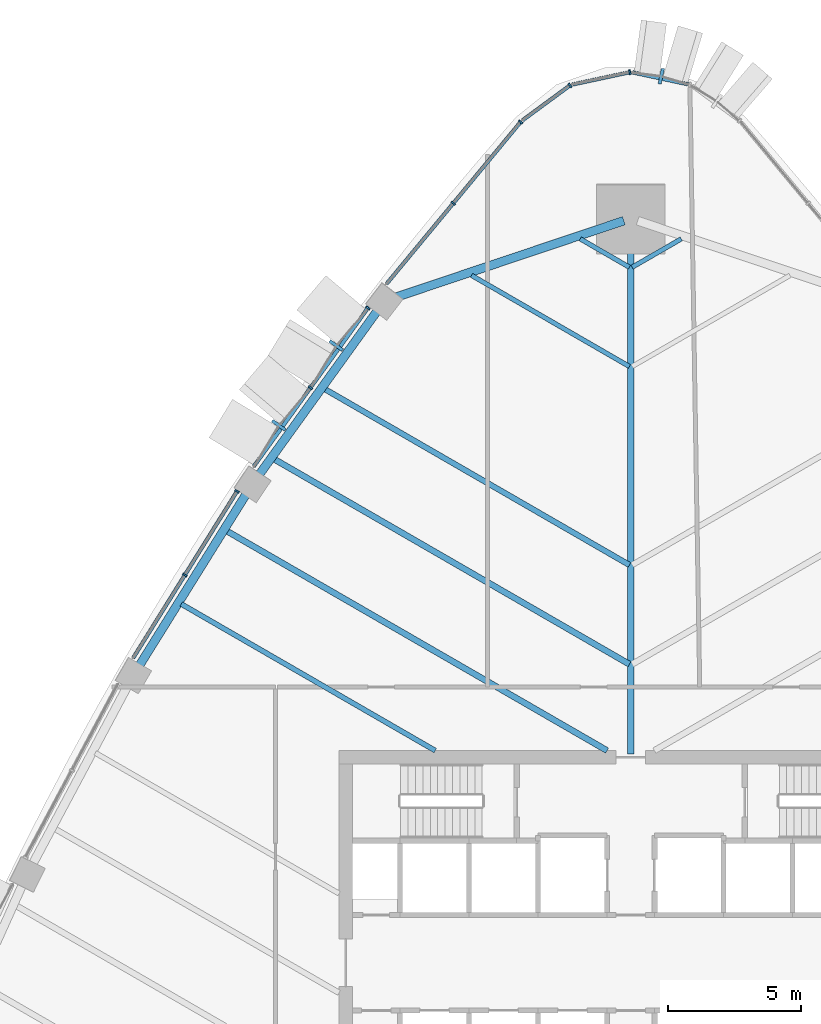
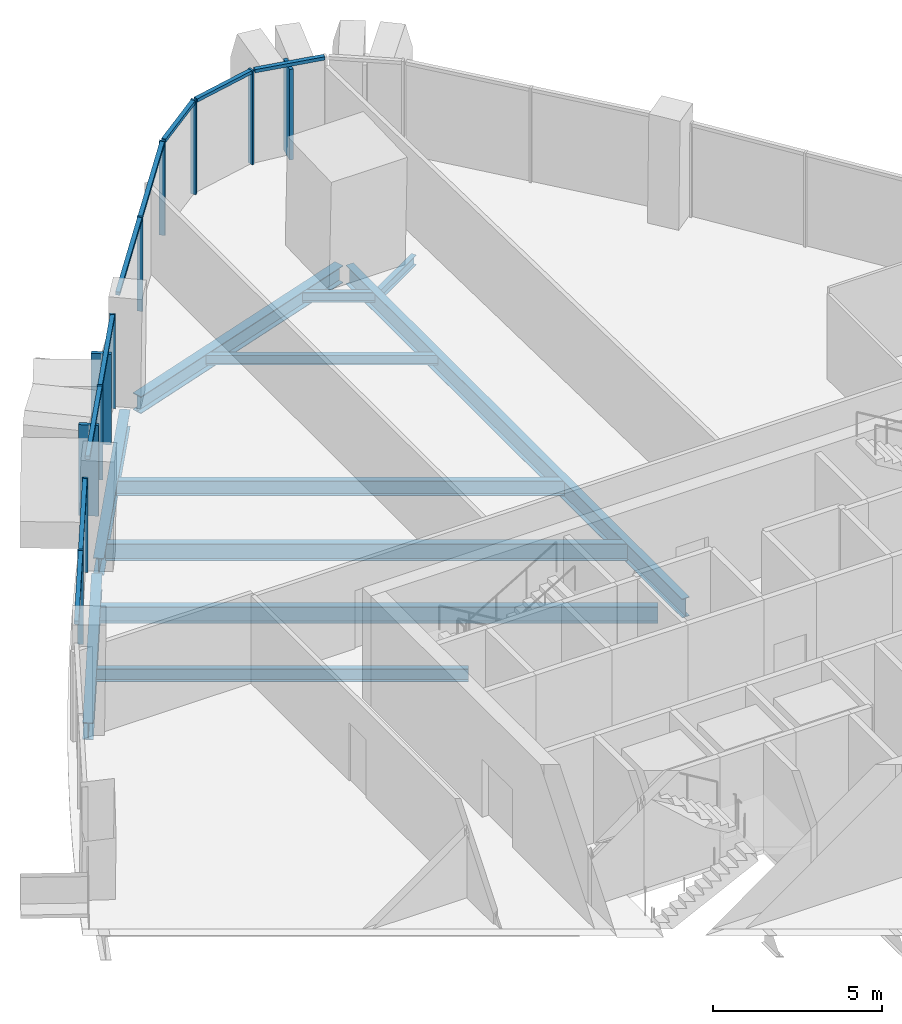
# One storey, part 6 of 17: 20 members, 11 beams, 6 elements without a shape of their own.
"""IFC4 building model written with IfcOpenShell, lengths in metres."""

from ifc_helpers import new_model, si_unit, direction, frame, origin, origin_2d, place, context, subcontext, project, spatial, rectangle, i_section, extrude, material, layer, layer_set, material_profile, profile_set, type_object, element, aggregate, save


model = new_model("IFC4")

# Units and contexts
model_context = context("Model", 3, precision=1e-05, world=origin(), true_north=direction((0.0, 1.0)))
body_context = subcontext(model_context, "Body", "Model", "MODEL_VIEW")
ifc_project = project(units=[si_unit("LENGTHUNIT", "METRE"), si_unit("AREAUNIT", "SQUARE_METRE"), si_unit("VOLUMEUNIT", "CUBIC_METRE"), si_unit("PLANEANGLEUNIT", "RADIAN"), si_unit("MASSUNIT", "GRAM", prefix="KILO")], contexts=[model_context])

# Site, building, storey
site_placement = place(None, origin())
site = spatial("IfcSite", under=ifc_project, at=site_placement, CompositionType="ELEMENT")
building_placement = place(site_placement, origin())
building = spatial("IfcBuilding", under=site, at=building_placement, Name="Sierra Prisma Convention Tower", CompositionType="ELEMENT")
storey_placement = place(building_placement, frame((0.0, 0.0, 153.800048828125)))
storey = spatial("IfcBuildingStorey", under=building, at=storey_placement, Name="L33", CompositionType="ELEMENT", Elevation=153.800048828125)

# Curtain wall, member
ifc_material_1 = material(Name="Aluminium and glass curtain wall", Category="aluminium")
ifc_layer_1 = layer(ifc_material_1, 0.179931640625)
ifc_layer_set_1 = layer_set([ifc_layer_1], Name="CW-2 Faceted crystal curtain wall")
curtain_wall_type_1 = type_object("IfcCurtainWallType", Name="CW-2 Faceted crystal curtain wall", PredefinedType="NOTDEFINED", material=ifc_layer_set_1)
curtain_wall_1_placement = place(storey_placement, origin())
curtain_wall_1 = element("IfcCurtainWall", 1, at=curtain_wall_1_placement, inside=storey, type_object=curtain_wall_type_1, Name="CW-2 N2 L33", PredefinedType="NOTDEFINED")
ifc_material_2 = material(Name="Aluminium 6063-T6 bronze anodised", Category="aluminium")
ifc_material_profile_1 = material_profile(ifc_material_2, rectangle(XDim=0.1201171875, YDim=0.60009765625, at=origin_2d()), Name="ALU RIDGE BLADE 120x600")
ifc_profile_set_1 = profile_set([ifc_material_profile_1], Name="Aluminium 6063-T6 bronze anodised")
member_type_1 = type_object("IfcMemberType", Name="CW hip bronze", PredefinedType="MULLION", material=ifc_profile_set_1)
member_1_placement = place(storey_placement, frame((1.150634765625, 33.43115234375, 0.0), z_axis=(0.0, 0.0, 1.0), x_axis=(-0.977743202837, 0.209805217539, 0.0)))
member_1 = element("IfcMember", 2, at=member_1_placement, type_object=member_type_1, Name="CW-2 ridge N2.1", PredefinedType="MULLION", context=body_context, shape_type="SweptSolid", body=[
    extrude(rectangle(XDim=0.1201171875, YDim=0.60009765625, at=origin_2d()), origin(), (0.0, 0.0, 1.0), 3.280029296875),
])

# Curtain wall, members
curtain_wall_2_placement = place(storey_placement, origin())
curtain_wall_2 = element("IfcCurtainWall", 3, at=curtain_wall_2_placement, inside=storey, type_object=curtain_wall_type_1, Name="CW-2 NW2 L33", PredefinedType="NOTDEFINED")
member_2_placement = place(storey_placement, frame((-11.109375, 23.273681640625, 0.0), z_axis=(0.0, 0.0, 1.0), x_axis=(-0.584647968797, -0.811287096274, 0.0)))
member_2 = element("IfcMember", 4, at=member_2_placement, type_object=member_type_1, Name="CW-2 ridge NW2.1", PredefinedType="MULLION", context=body_context, shape_type="SweptSolid", body=[
    extrude(rectangle(XDim=0.1201171875, YDim=0.60009765625, at=origin_2d()), origin(), (0.0, 0.0, 1.0), 3.280029296875),
])
member_3_placement = place(storey_placement, frame((-13.2763671875, 20.2666015625, 0.0), z_axis=(0.0, 0.0, 1.0), x_axis=(-0.584647968797, -0.811287096274, 0.0)))
member_3 = element("IfcMember", 5, at=member_3_placement, type_object=member_type_1, Name="CW-2 ridge NW2.2", PredefinedType="MULLION", context=body_context, shape_type="SweptSolid", body=[
    extrude(rectangle(XDim=0.1201171875, YDim=0.60009765625, at=origin_2d()), origin(), (0.0, 0.0, 1.0), 3.280029296875),
])

# Curtain wall, member
ifc_material_3 = material(Name="Aluminium and glass curtain wall", Category="aluminium")
ifc_layer_2 = layer(ifc_material_3, 0.179931640625)
ifc_layer_set_2 = layer_set([ifc_layer_2], Name="CW-1 Plain shaft curtain wall")
curtain_wall_type_2 = type_object("IfcCurtainWallType", Name="CW-1 Plain shaft curtain wall", PredefinedType="NOTDEFINED", material=ifc_layer_set_2)
curtain_wall_3_placement = place(storey_placement, origin())
curtain_wall_3 = element("IfcCurtainWall", 6, at=curtain_wall_3_placement, inside=storey, type_object=curtain_wall_type_2, Name="CW-1 N3 L33", PredefinedType="NOTDEFINED")
ifc_material_4 = material(Name="Aluminium 6063-T6 bronze anodised", Category="aluminium")
ifc_material_profile_2 = material_profile(ifc_material_4, rectangle(XDim=0.179931640625, YDim=0.070068359375, at=origin_2d()), Name="ALU MULLION 70x180")
ifc_profile_set_2 = profile_set([ifc_material_profile_2], Name="Aluminium 6063-T6 bronze anodised")
member_type_2 = type_object("IfcMemberType", Name="CW mullion bronze", PredefinedType="MULLION", material=ifc_profile_set_2)
member_4_placement = place(storey_placement, frame((-0.0341796875, 33.5830078125, 0.0), z_axis=(0.0, 0.0, 1.0), x_axis=(0.209805217539, -0.977743202837, 0.0)))
member_4 = element("IfcMember", 7, at=member_4_placement, type_object=member_type_2, Name="CW-1 mullion N3.1", PredefinedType="MULLION", context=body_context, shape_type="SweptSolid", body=[
    extrude(rectangle(XDim=0.179931640625, YDim=0.070068359375, at=origin_2d()), origin(), (0.0, 0.0, 1.0), 3.39990234375),
])

curtain_wall_4_placement = place(storey_placement, origin())
curtain_wall_4 = element("IfcCurtainWall", 8, at=curtain_wall_4_placement, inside=storey, type_object=curtain_wall_type_2, Name="CW-1 N4 L33", PredefinedType="NOTDEFINED")
member_5_placement = place(storey_placement, frame((-2.29345703125, 33.08349609375, 0.0), z_axis=(0.0, 0.0, 1.0), x_axis=(0.592474635917, -0.805589104814, 0.0)))
member_5 = element("IfcMember", 9, at=member_5_placement, type_object=member_type_2, Name="CW-1 mullion N4.1", PredefinedType="MULLION", context=body_context, shape_type="SweptSolid", body=[
    extrude(rectangle(XDim=0.179931640625, YDim=0.070068359375, at=origin_2d()), origin(), (0.0, 0.0, 1.0), 3.39990234375),
])

# Curtain wall, members
curtain_wall_5_placement = place(storey_placement, origin())
curtain_wall_5 = element("IfcCurtainWall", 10, at=curtain_wall_5_placement, inside=storey, type_object=curtain_wall_type_2, Name="CW-1 NW1 L33", PredefinedType="NOTDEFINED")
member_6_placement = place(storey_placement, frame((-4.154052734375, 31.70458984375, 0.0), z_axis=(0.0, 0.0, 1.0), x_axis=(0.77017707256, -0.637830131698, 0.0)))
member_6 = element("IfcMember", 11, at=member_6_placement, type_object=member_type_2, Name="CW-1 mullion NW1.1", PredefinedType="MULLION", context=body_context, shape_type="SweptSolid", body=[
    extrude(rectangle(XDim=0.179931640625, YDim=0.070068359375, at=origin_2d()), origin(), (0.0, 0.0, 1.0), 3.39990234375),
])
member_7_placement = place(storey_placement, frame((-6.69189453125, 28.640380859375, 0.0), z_axis=(0.0, 0.0, 1.0), x_axis=(0.77017707256, -0.637830131698, 0.0)))
member_7 = element("IfcMember", 12, at=member_7_placement, type_object=member_type_2, Name="CW-1 mullion NW1.2", PredefinedType="MULLION", context=body_context, shape_type="SweptSolid", body=[
    extrude(rectangle(XDim=0.179931640625, YDim=0.070068359375, at=origin_2d()), origin(), (0.0, 0.0, 1.0), 3.39990234375),
])

# Member
member_8_placement = place(storey_placement, frame((-9.909912109375, 24.693603515625, 0.0), z_axis=(0.0, 0.0, 1.0), x_axis=(0.811287096274, -0.584647968797, 0.0)))
member_8 = element("IfcMember", 13, at=member_8_placement, type_object=member_type_2, Name="CW-1 mullion NW2.1", PredefinedType="MULLION", context=body_context, shape_type="SweptSolid", body=[
    extrude(rectangle(XDim=0.179931640625, YDim=0.070068359375, at=origin_2d()), origin(), (0.0, 0.0, 1.0), 3.39990234375),
])

member_9_placement = place(storey_placement, frame((-12.076904296875, 21.6865234375, 0.0), z_axis=(0.0, 0.0, 1.0), x_axis=(0.811287096274, -0.584647968797, 0.0)))
member_9 = element("IfcMember", 14, at=member_9_placement, type_object=member_type_2, Name="CW-1 mullion NW2.2", PredefinedType="MULLION", context=body_context, shape_type="SweptSolid", body=[
    extrude(rectangle(XDim=0.179931640625, YDim=0.070068359375, at=origin_2d()), origin(), (0.0, 0.0, 1.0), 3.39990234375),
])

# Curtain wall, members
curtain_wall_6_placement = place(storey_placement, origin())
curtain_wall_6 = element("IfcCurtainWall", 15, at=curtain_wall_6_placement, inside=storey, type_object=curtain_wall_type_2, Name="CW-1 NW3 L33", PredefinedType="NOTDEFINED")
member_10_placement = place(storey_placement, frame((-14.84619140625, 17.78076171875, 0.0), z_axis=(0.0, 0.0, 1.0), x_axis=(0.848731419438, -0.528824146252, 0.0)))
member_10 = element("IfcMember", 16, at=member_10_placement, type_object=member_type_2, Name="CW-1 mullion NW3.1", PredefinedType="MULLION", context=body_context, shape_type="SweptSolid", body=[
    extrude(rectangle(XDim=0.179931640625, YDim=0.070068359375, at=origin_2d()), origin(), (0.0, 0.0, 1.0), 3.39990234375),
])
member_11_placement = place(storey_placement, frame((-16.814697265625, 14.621337890625, 0.0), z_axis=(0.0, 0.0, 1.0), x_axis=(0.848731419438, -0.528824146252, 0.0)))
member_11 = element("IfcMember", 17, at=member_11_placement, type_object=member_type_2, Name="CW-1 mullion NW3.2", PredefinedType="MULLION", context=body_context, shape_type="SweptSolid", body=[
    extrude(rectangle(XDim=0.179931640625, YDim=0.070068359375, at=origin_2d()), origin(), (0.0, 0.0, 1.0), 3.39990234375),
])

# Member
ifc_material_5 = material(Name="Aluminium 6063-T6 bronze anodised", Category="aluminium")
ifc_material_profile_3 = material_profile(ifc_material_5, rectangle(XDim=0.139892578125, YDim=0.1201171875, at=origin_2d()), Name="ALU TRANSOM 120x140")
ifc_profile_set_3 = profile_set([ifc_material_profile_3], Name="Aluminium 6063-T6 bronze anodised")
member_type_3 = type_object("IfcMemberType", Name="CW transom bronze", PredefinedType="USERDEFINED", material=ifc_profile_set_3)
member_12_placement = place(storey_placement, frame((2.19677734375, 33.119140625, 3.33984375), z_axis=(-0.977759720519, 0.209728226356, 0.0), x_axis=(-0.209728226356, -0.977759720519, 0.0)))
member_12 = element("IfcMember", 18, at=member_12_placement, type_object=member_type_3, Name="CW-1 transom N2.1", ObjectType="TRANSOM", PredefinedType="USERDEFINED", context=body_context, shape_type="SweptSolid", body=[
    extrude(rectangle(XDim=0.139892578125, YDim=0.1201171875, at=origin_2d()), origin(), (0.0, 0.0, 1.0), 2.1767578125),
])

aggregate(curtain_wall_1, [member_12, member_1])

member_13_placement = place(storey_placement, frame((-0.068359375, 33.57568359375, 3.33984375), z_axis=(-0.977759720519, -0.209728226356, 0.0), x_axis=(0.209728226356, -0.977759720519, 0.0)))
member_13 = element("IfcMember", 19, at=member_13_placement, type_object=member_type_3, Name="CW-1 transom N3.1", ObjectType="TRANSOM", PredefinedType="USERDEFINED", context=body_context, shape_type="SweptSolid", body=[
    extrude(rectangle(XDim=0.139892578125, YDim=0.1201171875, at=origin_2d()), origin(), (0.0, 0.0, 1.0), 2.1767578125),
])

aggregate(curtain_wall_3, [member_4, member_13])

member_14_placement = place(storey_placement, frame((-2.32177734375, 33.062744140625, 3.33984375), z_axis=(-0.80563054539, -0.592418284943, 0.0), x_axis=(0.592418284943, -0.80563054539, 0.0)))
member_14 = element("IfcMember", 20, at=member_14_placement, type_object=member_type_3, Name="CW-1 transom N4.1", ObjectType="TRANSOM", PredefinedType="USERDEFINED", context=body_context, shape_type="SweptSolid", body=[
    extrude(rectangle(XDim=0.139892578125, YDim=0.1201171875, at=origin_2d()), origin(), (0.0, 0.0, 1.0), 2.1767578125),
])

aggregate(curtain_wall_4, [member_5, member_14])

member_15_placement = place(storey_placement, frame((-4.17626953125, 31.677734375, 3.33984375), z_axis=(-0.637828443767, -0.770178470435, 0.0), x_axis=(0.770178470435, -0.637828443767, 0.0)))
member_15 = element("IfcMember", 21, at=member_15_placement, type_object=member_type_3, Name="CW-1 transom NW1.1", ObjectType="TRANSOM", PredefinedType="USERDEFINED", context=body_context, shape_type="SweptSolid", body=[
    extrude(rectangle(XDim=0.139892578125, YDim=0.1201171875, at=origin_2d()), origin(), (0.0, 0.0, 1.0), 3.908935546875),
])

member_16_placement = place(storey_placement, frame((-6.714111328125, 28.61328125, 3.33984375), z_axis=(-0.637828443767, -0.770178470435, 0.0), x_axis=(0.770178470435, -0.637828443767, 0.0)))
member_16 = element("IfcMember", 22, at=member_16_placement, type_object=member_type_3, Name="CW-1 transom NW1.2", ObjectType="TRANSOM", PredefinedType="USERDEFINED", context=body_context, shape_type="SweptSolid", body=[
    extrude(rectangle(XDim=0.139892578125, YDim=0.1201171875, at=origin_2d()), origin(), (0.0, 0.0, 1.0), 3.908935546875),
])

aggregate(curtain_wall_5, [member_6, member_7, member_15, member_16])

member_17_placement = place(storey_placement, frame((-9.930419921875, 24.6650390625, 3.33984375), z_axis=(-0.584637182932, -0.811294868919, 0.0), x_axis=(0.811294868919, -0.584637182932, 0.0)))
member_17 = element("IfcMember", 23, at=member_17_placement, type_object=member_type_3, Name="CW-1 transom NW2.1", ObjectType="TRANSOM", PredefinedType="USERDEFINED", context=body_context, shape_type="SweptSolid", body=[
    extrude(rectangle(XDim=0.139892578125, YDim=0.1201171875, at=origin_2d()), origin(), (0.0, 0.0, 1.0), 3.636474609375),
])

member_18_placement = place(storey_placement, frame((-12.09716796875, 21.658203125, 3.33984375), z_axis=(-0.584681370479, -0.811263024558, 0.0), x_axis=(0.811263024558, -0.584681370479, 0.0)))
member_18 = element("IfcMember", 24, at=member_18_placement, type_object=member_type_3, Name="CW-1 transom NW2.2", ObjectType="TRANSOM", PredefinedType="USERDEFINED", context=body_context, shape_type="SweptSolid", body=[
    extrude(rectangle(XDim=0.139892578125, YDim=0.1201171875, at=origin_2d()), origin(), (0.0, 0.0, 1.0), 3.636474609375),
])

aggregate(curtain_wall_2, [member_8, member_9, member_17, member_2, member_18, member_3])

member_19_placement = place(storey_placement, frame((-14.86474609375, 17.7509765625, 3.33984375), z_axis=(-0.528814732607, -0.848737284781, 0.0), x_axis=(0.848737284781, -0.528814732607, 0.0)))
member_19 = element("IfcMember", 25, at=member_19_placement, type_object=member_type_3, Name="CW-1 transom NW3.1", ObjectType="TRANSOM", PredefinedType="USERDEFINED", context=body_context, shape_type="SweptSolid", body=[
    extrude(rectangle(XDim=0.139892578125, YDim=0.1201171875, at=origin_2d()), origin(), (0.0, 0.0, 1.0), 3.65234375),
])

member_20_placement = place(storey_placement, frame((-16.833251953125, 14.591552734375, 3.33984375), z_axis=(-0.528814732607, -0.848737284781, 0.0), x_axis=(0.848737284781, -0.528814732607, 0.0)))
member_20 = element("IfcMember", 26, at=member_20_placement, type_object=member_type_3, Name="CW-1 transom NW3.2", ObjectType="TRANSOM", PredefinedType="USERDEFINED", context=body_context, shape_type="SweptSolid", body=[
    extrude(rectangle(XDim=0.139892578125, YDim=0.1201171875, at=origin_2d()), origin(), (0.0, 0.0, 1.0), 3.65234375),
])

aggregate(curtain_wall_6, [member_10, member_11, member_19, member_20])

# Beams
ifc_material_6 = material(Name="Steel ASTM A992 Gr 50", Category="steel")
ifc_material_profile_4 = material_profile(ifc_material_6, i_section(OverallWidth=0.172119140625, OverallDepth=0.35791015625, WebThickness=0.0078125, FlangeThickness=0.01318359375, at=origin_2d()), Name="W360x57")
ifc_profile_set_4 = profile_set([ifc_material_profile_4], Name="Steel ASTM A992 Gr 50")
beam_type_1 = type_object("IfcBeamType", Name="Floor joist W360x57", PredefinedType="JOIST", material=ifc_profile_set_4)
for number, where, z_axis, x_axis, name in (
    (27, (1.9052734375, 27.297607421875, -0.3291015625), (-0.86605268637, -0.499952742198, 0.0), (0.499952742198, -0.86605268637, 0.0), "Floor joist L33 NE15"),
    (28, (-1.9052734375, 27.297607421875, -0.3291015625), (0.86605268637, -0.499952742198, 0.0), (0.499952742198, 0.86605268637, 0.0), "Floor joist L33 NW01"),
):
    element("IfcBeam", number, at=place(storey_placement, frame(where, z_axis=z_axis, x_axis=x_axis)), inside=storey, type_object=beam_type_1, Name=name, PredefinedType="JOIST", context=body_context, shape_type="SweptSolid", body=[
        extrude(i_section(OverallWidth=0.172119140625, OverallDepth=0.35791015625, WebThickness=0.0078125, FlangeThickness=0.01318359375, at=origin_2d()), origin(), (0.0, 0.0, 1.0), 2.141357421875),
    ])
beam_1_placement = place(storey_placement, frame((-6.004638671875, 25.921875, -0.3291015625), z_axis=(0.866038336009, -0.49997760006, 0.0), x_axis=(0.49997760006, 0.866038336009, 0.0)))
element("IfcBeam", 29, at=beam_1_placement, inside=storey, type_object=beam_type_1, Name="Floor joist L33 NW02", PredefinedType="JOIST", context=body_context, shape_type="SweptSolid", body=[
    extrude(i_section(OverallWidth=0.172119140625, OverallDepth=0.35791015625, WebThickness=0.0078125, FlangeThickness=0.01318359375, at=origin_2d()), origin(), (0.0, 0.0, 1.0), 6.874755859375),
])
ifc_material_7 = material(Name="Steel ASTM A992 Gr 50", Category="steel")
ifc_material_profile_5 = material_profile(ifc_material_7, i_section(OverallWidth=0.18994140625, OverallDepth=0.45703125, WebThickness=0.009033203125, FlangeThickness=0.014404296875, at=origin_2d()), Name="W460x74")
ifc_profile_set_5 = profile_set([ifc_material_profile_5], Name="Steel ASTM A992 Gr 50")
beam_type_2 = type_object("IfcBeamType", Name="Floor joist W460x74", PredefinedType="JOIST", material=ifc_profile_set_5)
beam_2_placement = place(storey_placement, frame((-16.95068359375, 13.529052734375, -0.378662109375), z_axis=(0.866021238468, -0.50000721447, 0.0), x_axis=(0.50000721447, 0.866021238468, 0.0)))
element("IfcBeam", 30, at=beam_2_placement, inside=storey, type_object=beam_type_2, Name="Floor joist L33 NW07", PredefinedType="JOIST", context=body_context, shape_type="SweptSolid", body=[
    extrude(i_section(OverallWidth=0.18994140625, OverallDepth=0.45703125, WebThickness=0.009033203125, FlangeThickness=0.014404296875, at=origin_2d()), origin(), (0.0, 0.0, 1.0), 11.057861328125),
])
ifc_material_8 = material(Name="Steel ASTM A992 Gr 50", Category="steel")
ifc_material_profile_6 = material_profile(ifc_material_8, i_section(OverallWidth=0.208984375, OverallDepth=0.532958984375, WebThickness=0.01025390625, FlangeThickness=0.015625, at=origin_2d()), Name="W530x92")
ifc_profile_set_6 = profile_set([ifc_material_profile_6], Name="Steel ASTM A992 Gr 50")
beam_type_3 = type_object("IfcBeamType", Name="Floor joist W530x92", PredefinedType="JOIST", material=ifc_profile_set_6)
beam_3_placement = place(storey_placement, frame((-11.5439453125, 21.635009765625, -0.41650390625), z_axis=(0.866028122302, -0.49999529136, 0.0), x_axis=(0.49999529136, 0.866028122302, 0.0)))
element("IfcBeam", 31, at=beam_3_placement, inside=storey, type_object=beam_type_3, Name="Floor joist L33 NW04", PredefinedType="JOIST", context=body_context, shape_type="SweptSolid", body=[
    extrude(i_section(OverallWidth=0.208984375, OverallDepth=0.532958984375, WebThickness=0.01025390625, FlangeThickness=0.015625, at=origin_2d()), origin(), (0.0, 0.0, 1.0), 13.271240234375),
])
ifc_material_9 = material(Name="Steel ASTM A992 Gr 50", Category="steel")
ifc_material_profile_7 = material_profile(ifc_material_9, i_section(OverallWidth=0.22802734375, OverallDepth=0.60302734375, WebThickness=0.010498046875, FlangeThickness=0.014892578125, at=origin_2d()), Name="W610x101")
ifc_profile_set_7 = profile_set([ifc_material_profile_7], Name="Steel ASTM A992 Gr 50")
beam_type_4 = type_object("IfcBeamType", Name="Floor joist W610x101", PredefinedType="JOIST", material=ifc_profile_set_7)
beam_4_placement = place(storey_placement, frame((-13.448486328125, 18.9921875, -0.45166015625), z_axis=(0.866020283607, -0.500008868302, 0.0), x_axis=(0.500008868302, 0.866020283607, 0.0)))
element("IfcBeam", 32, at=beam_4_placement, inside=storey, type_object=beam_type_4, Name="Floor joist L33 NW05", PredefinedType="JOIST", context=body_context, shape_type="SweptSolid", body=[
    extrude(i_section(OverallWidth=0.22802734375, OverallDepth=0.60302734375, WebThickness=0.010498046875, FlangeThickness=0.014892578125, at=origin_2d()), origin(), (0.0, 0.0, 1.0), 15.470458984375),
])
beam_5_placement = place(storey_placement, frame((-15.235595703125, 16.281494140625, -0.45166015625), z_axis=(0.866022103989, -0.50000571537, 0.0), x_axis=(0.50000571537, 0.866022103989, 0.0)))
element("IfcBeam", 33, at=beam_5_placement, inside=storey, type_object=beam_type_4, Name="Floor joist L33 NW06", PredefinedType="JOIST", context=body_context, shape_type="SweptSolid", body=[
    extrude(i_section(OverallWidth=0.22802734375, OverallDepth=0.60302734375, WebThickness=0.010498046875, FlangeThickness=0.014892578125, at=origin_2d()), origin(), (0.0, 0.0, 1.0), 16.562744140625),
])
ifc_material_10 = material(Name="Steel ASTM A992 Gr 50", Category="steel")
ifc_material_profile_8 = material_profile(ifc_material_10, i_section(OverallWidth=0.25390625, OverallDepth=0.68408203125, WebThickness=0.012451171875, FlangeThickness=0.018798828125, at=origin_2d()), Name="W690x140")
ifc_profile_set_8 = profile_set([ifc_material_profile_8], Name="Steel ASTM A992 Gr 50")
beam_type_5 = type_object("IfcBeamType", Name="Radial girder W690x140", PredefinedType="BEAM", material=ifc_profile_set_8)
beam_6_placement = place(storey_placement, frame((0.0, 27.80908203125, -0.491943359375), z_axis=(0.0, -1.0, 0.0), x_axis=(1.0, 0.0, 0.0)))
element("IfcBeam", 34, at=beam_6_placement, inside=storey, type_object=beam_type_5, Name="Radial girder L33 N", PredefinedType="BEAM", context=body_context, shape_type="SweptSolid", body=[
    extrude(i_section(OverallWidth=0.25390625, OverallDepth=0.68408203125, WebThickness=0.012451171875, FlangeThickness=0.018798828125, at=origin_2d()), origin(), (0.0, 0.0, 1.0), 19.92919921875),
])
ifc_material_11 = material(Name="Steel ASTM A992 Gr 50", Category="steel")
ifc_material_profile_9 = material_profile(ifc_material_11, i_section(OverallWidth=0.324951171875, OverallDepth=0.615966796875, WebThickness=0.013916015625, FlangeThickness=0.021484375, at=origin_2d()), Name="W610x174")
ifc_profile_set_9 = profile_set([ifc_material_profile_9], Name="Steel ASTM A992 Gr 50")
beam_type_6 = type_object("IfcBeamType", Name="Spandrel beam W610x174", PredefinedType="BEAM", material=ifc_profile_set_9)
beam_7_placement = place(storey_placement, frame((-0.260009765625, 27.981689453125, -0.4580078125), z_axis=(-0.948036420874, -0.318161821556, 0.0), x_axis=(0.318161821556, -0.948036420874, 0.0)))
element("IfcBeam", 35, at=beam_7_placement, inside=storey, type_object=beam_type_6, Name="Spandrel L33-13", PredefinedType="BEAM", context=body_context, shape_type="SweptSolid", body=[
    extrude(i_section(OverallWidth=0.324951171875, OverallDepth=0.615966796875, WebThickness=0.013916015625, FlangeThickness=0.021484375, at=origin_2d()), origin(), (0.0, 0.0, 1.0), 9.0478515625),
])
for number, where, z_axis, x_axis, name in (
    (36, (-9.516357421875, 24.641357421875, -0.4580078125), (-0.584636076974, -0.811295665895, 0.0), (0.811295665895, -0.584636076974, 0.0), "Spandrel L33-14"),
    (37, (-14.467041015625, 17.727783203125, -0.4580078125), (-0.52883364332, -0.848725501969, 0.0), (0.848725501969, -0.52883364332, 0.0), "Spandrel L33-15"),
):
    element("IfcBeam", number, at=place(storey_placement, frame(where, z_axis=z_axis, x_axis=x_axis)), inside=storey, type_object=beam_type_6, Name=name, PredefinedType="BEAM", context=body_context, shape_type="SweptSolid", body=[
        extrude(i_section(OverallWidth=0.324951171875, OverallDepth=0.615966796875, WebThickness=0.013916015625, FlangeThickness=0.021484375, at=origin_2d()), origin(), (0.0, 0.0, 1.0), 7.743408203125),
    ])

save(model, "model.ifc")
